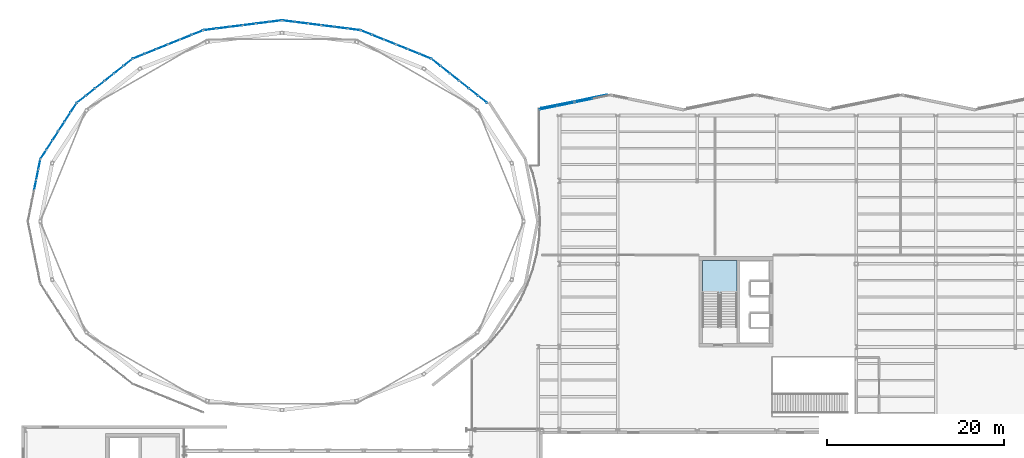
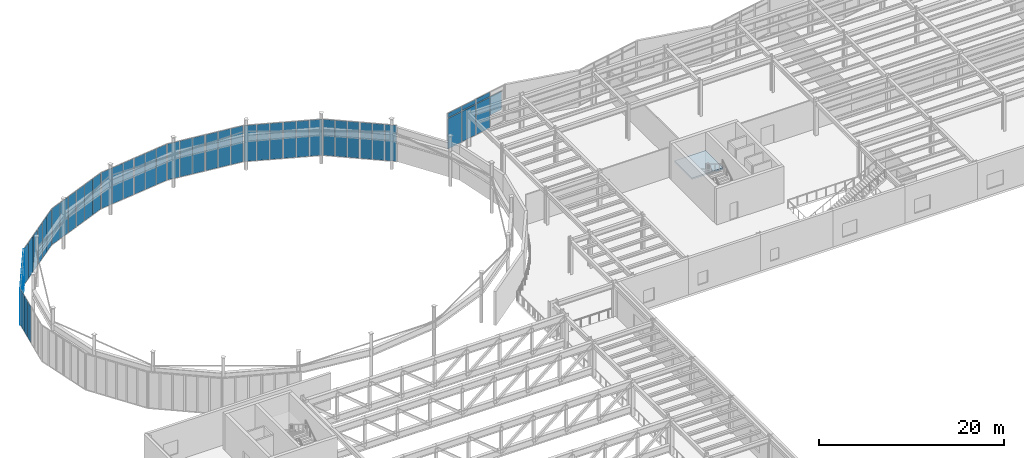
# One storey, part 59 of 91: 52 plates, 1 slab, 18 elements without a shape of their own.
"""IFC4 building model written with IfcOpenShell, lengths in metres."""

from ifc_helpers import new_model, si_unit, direction, frame, origin, origin_2d, place, context, subcontext, project, spatial, polyline, rectangle, outline, extrude, material, layer, layer_set, type_object, element, aggregate, save


model = new_model("IFC4")

# Units and contexts
model_context = context("Model", 3, precision=1e-05, world=origin(), true_north=direction((0.0, 1.0)))
body_context = subcontext(model_context, "Body", "Model", "MODEL_VIEW")
ifc_project = project(units=[si_unit("LENGTHUNIT", "METRE"), si_unit("AREAUNIT", "SQUARE_METRE"), si_unit("VOLUMEUNIT", "CUBIC_METRE"), si_unit("PLANEANGLEUNIT", "RADIAN"), si_unit("MASSUNIT", "GRAM", prefix="KILO")], contexts=[model_context])

# Site, building, storey
site_placement = place(None, origin())
site = spatial("IfcSite", under=ifc_project, at=site_placement, CompositionType="ELEMENT")
building_placement = place(site_placement, origin())
building = spatial("IfcBuilding", under=site, at=building_placement, Name="Sollismere Congress Hotel", CompositionType="ELEMENT")
storey_placement = place(building_placement, frame((0.0, 0.0, 10.800048828125)))
storey = spatial("IfcBuildingStorey", under=building, at=storey_placement, Name="L02", CompositionType="ELEMENT", Elevation=10.800048828125)

# Curtain wall, plates
ifc_material_1 = material(Name="Anodized Bronze Curtain Wall & Low-E Triple Glazing", Category="glass")
ifc_layer_1 = layer(ifc_material_1, 0.199951171875, Name="Anodized Bronze Curtain Wall & Low-E Triple Glazing")
ifc_layer_set_1 = layer_set([ifc_layer_1], Name="Anodized Bronze Curtain Wall & Low-E Triple Glazing")
curtain_wall_type = type_object("IfcCurtainWallType", Name="CW-GLZ36", PredefinedType="USERDEFINED", material=ifc_layer_set_1)
curtain_wall_1_placement = place(storey_placement, origin())
curtain_wall_1 = element("IfcCurtainWall", 1, at=curtain_wall_1_placement, inside=storey, type_object=curtain_wall_type, Name="Unitised curtain wall CW-L02-005", ObjectType="UNITISED CURTAIN WALL", PredefinedType="USERDEFINED")
ifc_material_2 = material(Name="Blue-Tinted Solar-Control Low-E Vision Glass", Category="glass")
ifc_layer_2 = layer(ifc_material_2, 0.035888671875, Name="Blue-Tinted Solar-Control Low-E Vision Glass")
ifc_layer_set_2 = layer_set([ifc_layer_2], Name="Blue-Tinted Solar-Control Low-E Vision Glass")
plate_type_1 = type_object("IfcPlateType", Name="PL-CWGLZ", PredefinedType="CURTAIN_PANEL", material=ifc_layer_set_2)
plate_1_placement = place(storey_placement, frame((51.71435546875, 104.203369140625, 0.052978515625), z_axis=(0.0, 0.0, 1.0), x_axis=(-0.784181063891, 0.620532077362, 0.0)))
plate_1 = element("IfcPlate", 2, at=plate_1_placement, type_object=plate_type_1, Name="CWL-CW-L02-005-VP01", PredefinedType="CURTAIN_PANEL", context=body_context, shape_type="SweptSolid", body=[
    extrude(rectangle(XDim=1.2626953125, YDim=0.035888671875, at=origin_2d()), origin(), (0.0, 0.0, 1.0), 4.75390625),
])
plate_2_placement = place(storey_placement, frame((50.669189453125, 105.0302734375, 0.052978515625), z_axis=(0.0, 0.0, 1.0), x_axis=(-0.784181063891, 0.620532077362, 0.0)))
plate_2 = element("IfcPlate", 3, at=plate_2_placement, type_object=plate_type_1, Name="CWL-CW-L02-005-VP02", PredefinedType="CURTAIN_PANEL", context=body_context, shape_type="SweptSolid", body=[
    extrude(rectangle(XDim=1.30078125, YDim=0.035888671875, at=origin_2d()), origin(), (0.0, 0.0, 1.0), 4.75390625),
])
plate_3_placement = place(storey_placement, frame((49.623779296875, 105.857421875, 0.052978515625), z_axis=(0.0, 0.0, 1.0), x_axis=(-0.784181063891, 0.620532077362, 0.0)))
plate_3 = element("IfcPlate", 4, at=plate_3_placement, type_object=plate_type_1, Name="CWL-CW-L02-005-VP03", PredefinedType="CURTAIN_PANEL", context=body_context, shape_type="SweptSolid", body=[
    extrude(rectangle(XDim=1.2626953125, YDim=0.035888671875, at=origin_2d()), origin(), (0.0, 0.0, 1.0), 4.75390625),
])
aggregate(curtain_wall_1, [plate_1, plate_2, plate_3])

curtain_wall_2_placement = place(storey_placement, origin())
curtain_wall_2 = element("IfcCurtainWall", 5, at=curtain_wall_2_placement, inside=storey, type_object=curtain_wall_type, Name="Unitised curtain wall CW-L02-006", ObjectType="UNITISED CURTAIN WALL", PredefinedType="USERDEFINED")
plate_4_placement = place(storey_placement, frame((48.5341796875, 106.7197265625, 0.052978515625), z_axis=(0.0, 0.0, 1.0), x_axis=(-0.784181063891, 0.620532077362, 0.0)))
plate_4 = element("IfcPlate", 6, at=plate_4_placement, type_object=plate_type_1, Name="CWL-CW-L02-006-VP01", PredefinedType="CURTAIN_PANEL", context=body_context, shape_type="SweptSolid", body=[
    extrude(rectangle(XDim=1.2626953125, YDim=0.035888671875, at=origin_2d()), origin(), (0.0, 0.0, 1.0), 4.75390625),
])
plate_5_placement = place(storey_placement, frame((47.489013671875, 107.546875, 0.052978515625), z_axis=(0.0, 0.0, 1.0), x_axis=(-0.784181063891, 0.620532077362, 0.0)))
plate_5 = element("IfcPlate", 7, at=plate_5_placement, type_object=plate_type_1, Name="CWL-CW-L02-006-VP02", PredefinedType="CURTAIN_PANEL", context=body_context, shape_type="SweptSolid", body=[
    extrude(rectangle(XDim=1.30078125, YDim=0.035888671875, at=origin_2d()), origin(), (0.0, 0.0, 1.0), 4.75390625),
])
plate_6_placement = place(storey_placement, frame((46.443603515625, 108.373779296875, 0.052978515625), z_axis=(0.0, 0.0, 1.0), x_axis=(-0.784181063891, 0.620532077362, 0.0)))
plate_6 = element("IfcPlate", 8, at=plate_6_placement, type_object=plate_type_1, Name="CWL-CW-L02-006-VP03", PredefinedType="CURTAIN_PANEL", context=body_context, shape_type="SweptSolid", body=[
    extrude(rectangle(XDim=1.2626953125, YDim=0.035888671875, at=origin_2d()), origin(), (0.0, 0.0, 1.0), 4.75390625),
])
aggregate(curtain_wall_2, [plate_4, plate_5, plate_6])

curtain_wall_3_placement = place(storey_placement, origin())
curtain_wall_3 = element("IfcCurtainWall", 9, at=curtain_wall_3_placement, inside=storey, type_object=curtain_wall_type, Name="Unitised curtain wall CW-L02-009", ObjectType="UNITISED CURTAIN WALL", PredefinedType="USERDEFINED")
plate_7_placement = place(storey_placement, frame((45.21337890625, 109.08154296875, 0.052978515625), z_axis=(0.0, 0.0, 1.0), x_axis=(-0.927451680013, 0.373943018709, 0.0)))
plate_7 = element("IfcPlate", 10, at=plate_7_placement, type_object=plate_type_1, Name="CWL-CW-L02-009-VP01", PredefinedType="CURTAIN_PANEL", context=body_context, shape_type="SweptSolid", body=[
    extrude(rectangle(XDim=1.351318359375, YDim=0.035888671875, at=origin_2d()), origin(), (0.0, 0.0, 1.0), 4.75390625),
])
plate_8_placement = place(storey_placement, frame((43.895263671875, 109.61279296875, 0.052978515625), z_axis=(0.0, 0.0, 1.0), x_axis=(-0.927451680013, 0.373943018709, 0.0)))
plate_8 = element("IfcPlate", 11, at=plate_8_placement, type_object=plate_type_1, Name="CWL-CW-L02-009-VP02", PredefinedType="CURTAIN_PANEL", context=body_context, shape_type="SweptSolid", body=[
    extrude(rectangle(XDim=1.389404296875, YDim=0.035888671875, at=origin_2d()), origin(), (0.0, 0.0, 1.0), 4.75390625),
])
plate_9_placement = place(storey_placement, frame((42.576904296875, 110.144287109375, 0.052978515625), z_axis=(0.0, 0.0, 1.0), x_axis=(-0.927451680013, 0.373943018709, 0.0)))
plate_9 = element("IfcPlate", 12, at=plate_9_placement, type_object=plate_type_1, Name="CWL-CW-L02-009-VP03", PredefinedType="CURTAIN_PANEL", context=body_context, shape_type="SweptSolid", body=[
    extrude(rectangle(XDim=1.351318359375, YDim=0.035888671875, at=origin_2d()), origin(), (0.0, 0.0, 1.0), 4.75390625),
])
aggregate(curtain_wall_3, [plate_7, plate_8, plate_9])

curtain_wall_4_placement = place(storey_placement, origin())
curtain_wall_4 = element("IfcCurtainWall", 13, at=curtain_wall_4_placement, inside=storey, type_object=curtain_wall_type, Name="Unitised curtain wall CW-L02-010", ObjectType="UNITISED CURTAIN WALL", PredefinedType="USERDEFINED")
plate_10_placement = place(storey_placement, frame((41.2060546875, 110.697265625, 0.052978515625), z_axis=(0.0, 0.0, 1.0), x_axis=(-0.927451680013, 0.373943018709, 0.0)))
plate_10 = element("IfcPlate", 14, at=plate_10_placement, type_object=plate_type_1, Name="CWL-CW-L02-010-VP01", PredefinedType="CURTAIN_PANEL", context=body_context, shape_type="SweptSolid", body=[
    extrude(rectangle(XDim=1.351318359375, YDim=0.035888671875, at=origin_2d()), origin(), (0.0, 0.0, 1.0), 4.75390625),
])
plate_11_placement = place(storey_placement, frame((39.887939453125, 111.228759765625, 0.052978515625), z_axis=(0.0, 0.0, 1.0), x_axis=(-0.927451680013, 0.373943018709, 0.0)))
plate_11 = element("IfcPlate", 15, at=plate_11_placement, type_object=plate_type_1, Name="CWL-CW-L02-010-VP02", PredefinedType="CURTAIN_PANEL", context=body_context, shape_type="SweptSolid", body=[
    extrude(rectangle(XDim=1.389404296875, YDim=0.035888671875, at=origin_2d()), origin(), (0.0, 0.0, 1.0), 4.75390625),
])
plate_12_placement = place(storey_placement, frame((38.569580078125, 111.760009765625, 0.052978515625), z_axis=(0.0, 0.0, 1.0), x_axis=(-0.927451680013, 0.373943018709, 0.0)))
plate_12 = element("IfcPlate", 16, at=plate_12_placement, type_object=plate_type_1, Name="CWL-CW-L02-010-VP03", PredefinedType="CURTAIN_PANEL", context=body_context, shape_type="SweptSolid", body=[
    extrude(rectangle(XDim=1.351318359375, YDim=0.035888671875, at=origin_2d()), origin(), (0.0, 0.0, 1.0), 4.75390625),
])
aggregate(curtain_wall_4, [plate_10, plate_11, plate_12])

curtain_wall_5_placement = place(storey_placement, origin())
curtain_wall_5 = element("IfcCurtainWall", 17, at=curtain_wall_5_placement, inside=storey, type_object=curtain_wall_type, Name="Unitised curtain wall CW-L02-015", ObjectType="UNITISED CURTAIN WALL", PredefinedType="USERDEFINED")
plate_13_placement = place(storey_placement, frame((37.125, 112.131591796875, 0.052978515625), z_axis=(0.0, 0.0, 1.0), x_axis=(-0.992236726166, 0.124363496441, 0.0)))
plate_13 = element("IfcPlate", 18, at=plate_13_placement, type_object=plate_type_1, Name="CWL-CW-L02-015-VP01", PredefinedType="CURTAIN_PANEL", context=body_context, shape_type="SweptSolid", body=[
    extrude(rectangle(XDim=1.4033203125, YDim=0.035888671875, at=origin_2d()), origin(), (0.0, 0.0, 1.0), 4.75390625),
])
plate_14_placement = place(storey_placement, frame((35.6630859375, 112.31494140625, 0.052978515625), z_axis=(0.0, 0.0, 1.0), x_axis=(-0.992236726166, 0.124363496441, 0.0)))
plate_14 = element("IfcPlate", 19, at=plate_14_placement, type_object=plate_type_1, Name="CWL-CW-L02-015-VP02", PredefinedType="CURTAIN_PANEL", context=body_context, shape_type="SweptSolid", body=[
    extrude(rectangle(XDim=1.44140625, YDim=0.035888671875, at=origin_2d()), origin(), (0.0, 0.0, 1.0), 4.75390625),
])
plate_15_placement = place(storey_placement, frame((34.201416015625, 112.498046875, 0.052978515625), z_axis=(0.0, 0.0, 1.0), x_axis=(-0.992236726166, 0.124363496441, 0.0)))
plate_15 = element("IfcPlate", 20, at=plate_15_placement, type_object=plate_type_1, Name="CWL-CW-L02-015-VP03", PredefinedType="CURTAIN_PANEL", context=body_context, shape_type="SweptSolid", body=[
    extrude(rectangle(XDim=1.4033203125, YDim=0.035888671875, at=origin_2d()), origin(), (0.0, 0.0, 1.0), 4.75390625),
])
aggregate(curtain_wall_5, [plate_13, plate_14, plate_15])

curtain_wall_6_placement = place(storey_placement, origin())
curtain_wall_6 = element("IfcCurtainWall", 21, at=curtain_wall_6_placement, inside=storey, type_object=curtain_wall_type, Name="Unitised curtain wall CW-L02-016", ObjectType="UNITISED CURTAIN WALL", PredefinedType="USERDEFINED")
plate_16_placement = place(storey_placement, frame((32.682861328125, 112.6884765625, 0.052978515625), z_axis=(0.0, 0.0, 1.0), x_axis=(-0.992236726166, 0.124363496441, 0.0)))
plate_16 = element("IfcPlate", 22, at=plate_16_placement, type_object=plate_type_1, Name="CWL-CW-L02-016-VP01", PredefinedType="CURTAIN_PANEL", context=body_context, shape_type="SweptSolid", body=[
    extrude(rectangle(XDim=1.4033203125, YDim=0.035888671875, at=origin_2d()), origin(), (0.0, 0.0, 1.0), 4.75390625),
])
plate_17_placement = place(storey_placement, frame((31.220947265625, 112.87158203125, 0.052978515625), z_axis=(0.0, 0.0, 1.0), x_axis=(-0.992236726166, 0.124363496441, 0.0)))
plate_17 = element("IfcPlate", 23, at=plate_17_placement, type_object=plate_type_1, Name="CWL-CW-L02-016-VP02", PredefinedType="CURTAIN_PANEL", context=body_context, shape_type="SweptSolid", body=[
    extrude(rectangle(XDim=1.44140625, YDim=0.035888671875, at=origin_2d()), origin(), (0.0, 0.0, 1.0), 4.75390625),
])
plate_18_placement = place(storey_placement, frame((29.75927734375, 113.0546875, 0.052978515625), z_axis=(0.0, 0.0, 1.0), x_axis=(-0.992236726166, 0.124363496441, 0.0)))
plate_18 = element("IfcPlate", 24, at=plate_18_placement, type_object=plate_type_1, Name="CWL-CW-L02-016-VP03", PredefinedType="CURTAIN_PANEL", context=body_context, shape_type="SweptSolid", body=[
    extrude(rectangle(XDim=1.4033203125, YDim=0.035888671875, at=origin_2d()), origin(), (0.0, 0.0, 1.0), 4.75390625),
])
aggregate(curtain_wall_6, [plate_16, plate_17, plate_18])

curtain_wall_7_placement = place(storey_placement, origin())
curtain_wall_7 = element("IfcCurtainWall", 25, at=curtain_wall_7_placement, inside=storey, type_object=curtain_wall_type, Name="Unitised curtain wall CW-L02-019", ObjectType="UNITISED CURTAIN WALL", PredefinedType="USERDEFINED")
plate_19_placement = place(storey_placement, frame((28.24072265625, 113.0546875, 0.052978515625), z_axis=(0.0, 0.0, 1.0), x_axis=(-0.992236726166, -0.124363496441, 0.0)))
plate_19 = element("IfcPlate", 26, at=plate_19_placement, type_object=plate_type_1, Name="CWL-CW-L02-019-VP01", PredefinedType="CURTAIN_PANEL", context=body_context, shape_type="SweptSolid", body=[
    extrude(rectangle(XDim=1.4033203125, YDim=0.035888671875, at=origin_2d()), origin(), (0.0, 0.0, 1.0), 4.75390625),
])
plate_20_placement = place(storey_placement, frame((26.779052734375, 112.87158203125, 0.052978515625), z_axis=(0.0, 0.0, 1.0), x_axis=(-0.992236726166, -0.124363496441, 0.0)))
plate_20 = element("IfcPlate", 27, at=plate_20_placement, type_object=plate_type_1, Name="CWL-CW-L02-019-VP02", PredefinedType="CURTAIN_PANEL", context=body_context, shape_type="SweptSolid", body=[
    extrude(rectangle(XDim=1.44140625, YDim=0.035888671875, at=origin_2d()), origin(), (0.0, 0.0, 1.0), 4.75390625),
])
plate_21_placement = place(storey_placement, frame((25.317138671875, 112.6884765625, 0.052978515625), z_axis=(0.0, 0.0, 1.0), x_axis=(-0.992236726166, -0.124363496441, 0.0)))
plate_21 = element("IfcPlate", 28, at=plate_21_placement, type_object=plate_type_1, Name="CWL-CW-L02-019-VP03", PredefinedType="CURTAIN_PANEL", context=body_context, shape_type="SweptSolid", body=[
    extrude(rectangle(XDim=1.4033203125, YDim=0.035888671875, at=origin_2d()), origin(), (0.0, 0.0, 1.0), 4.75390625),
])
aggregate(curtain_wall_7, [plate_19, plate_20, plate_21])

curtain_wall_8_placement = place(storey_placement, origin())
curtain_wall_8 = element("IfcCurtainWall", 29, at=curtain_wall_8_placement, inside=storey, type_object=curtain_wall_type, Name="Unitised curtain wall CW-L02-020", ObjectType="UNITISED CURTAIN WALL", PredefinedType="USERDEFINED")
plate_22_placement = place(storey_placement, frame((23.798583984375, 112.498046875, 0.052978515625), z_axis=(0.0, 0.0, 1.0), x_axis=(-0.992236726166, -0.124363496441, 0.0)))
plate_22 = element("IfcPlate", 30, at=plate_22_placement, type_object=plate_type_1, Name="CWL-CW-L02-020-VP01", PredefinedType="CURTAIN_PANEL", context=body_context, shape_type="SweptSolid", body=[
    extrude(rectangle(XDim=1.4033203125, YDim=0.035888671875, at=origin_2d()), origin(), (0.0, 0.0, 1.0), 4.75390625),
])
plate_23_placement = place(storey_placement, frame((22.3369140625, 112.31494140625, 0.052978515625), z_axis=(0.0, 0.0, 1.0), x_axis=(-0.992236726166, -0.124363496441, 0.0)))
plate_23 = element("IfcPlate", 31, at=plate_23_placement, type_object=plate_type_1, Name="CWL-CW-L02-020-VP02", PredefinedType="CURTAIN_PANEL", context=body_context, shape_type="SweptSolid", body=[
    extrude(rectangle(XDim=1.44140625, YDim=0.035888671875, at=origin_2d()), origin(), (0.0, 0.0, 1.0), 4.75390625),
])
plate_24_placement = place(storey_placement, frame((20.875, 112.131591796875, 0.052978515625), z_axis=(0.0, 0.0, 1.0), x_axis=(-0.992236726166, -0.124363496441, 0.0)))
plate_24 = element("IfcPlate", 32, at=plate_24_placement, type_object=plate_type_1, Name="CWL-CW-L02-020-VP03", PredefinedType="CURTAIN_PANEL", context=body_context, shape_type="SweptSolid", body=[
    extrude(rectangle(XDim=1.4033203125, YDim=0.035888671875, at=origin_2d()), origin(), (0.0, 0.0, 1.0), 4.75390625),
])
aggregate(curtain_wall_8, [plate_22, plate_23, plate_24])

curtain_wall_9_placement = place(storey_placement, origin())
curtain_wall_9 = element("IfcCurtainWall", 33, at=curtain_wall_9_placement, inside=storey, type_object=curtain_wall_type, Name="Unitised curtain wall CW-L02-025", ObjectType="UNITISED CURTAIN WALL", PredefinedType="USERDEFINED")
plate_25_placement = place(storey_placement, frame((19.430419921875, 111.760009765625, 0.052978515625), z_axis=(0.0, 0.0, 1.0), x_axis=(-0.927451680013, -0.373943018709, 0.0)))
plate_25 = element("IfcPlate", 34, at=plate_25_placement, type_object=plate_type_1, Name="CWL-CW-L02-025-VP01", PredefinedType="CURTAIN_PANEL", context=body_context, shape_type="SweptSolid", body=[
    extrude(rectangle(XDim=1.351318359375, YDim=0.035888671875, at=origin_2d()), origin(), (0.0, 0.0, 1.0), 4.75390625),
])
plate_26_placement = place(storey_placement, frame((18.112060546875, 111.228759765625, 0.052978515625), z_axis=(0.0, 0.0, 1.0), x_axis=(-0.927451680013, -0.373943018709, 0.0)))
plate_26 = element("IfcPlate", 35, at=plate_26_placement, type_object=plate_type_1, Name="CWL-CW-L02-025-VP02", PredefinedType="CURTAIN_PANEL", context=body_context, shape_type="SweptSolid", body=[
    extrude(rectangle(XDim=1.389404296875, YDim=0.035888671875, at=origin_2d()), origin(), (0.0, 0.0, 1.0), 4.75390625),
])
plate_27_placement = place(storey_placement, frame((16.7939453125, 110.697265625, 0.052978515625), z_axis=(0.0, 0.0, 1.0), x_axis=(-0.927451680013, -0.373943018709, 0.0)))
plate_27 = element("IfcPlate", 36, at=plate_27_placement, type_object=plate_type_1, Name="CWL-CW-L02-025-VP03", PredefinedType="CURTAIN_PANEL", context=body_context, shape_type="SweptSolid", body=[
    extrude(rectangle(XDim=1.351318359375, YDim=0.035888671875, at=origin_2d()), origin(), (0.0, 0.0, 1.0), 4.75390625),
])
aggregate(curtain_wall_9, [plate_25, plate_26, plate_27])

curtain_wall_10_placement = place(storey_placement, origin())
curtain_wall_10 = element("IfcCurtainWall", 37, at=curtain_wall_10_placement, inside=storey, type_object=curtain_wall_type, Name="Unitised curtain wall CW-L02-026", ObjectType="UNITISED CURTAIN WALL", PredefinedType="USERDEFINED")
plate_28_placement = place(storey_placement, frame((15.423095703125, 110.144287109375, 0.052978515625), z_axis=(0.0, 0.0, 1.0), x_axis=(-0.927451680013, -0.373943018709, 0.0)))
plate_28 = element("IfcPlate", 38, at=plate_28_placement, type_object=plate_type_1, Name="CWL-CW-L02-026-VP01", PredefinedType="CURTAIN_PANEL", context=body_context, shape_type="SweptSolid", body=[
    extrude(rectangle(XDim=1.351318359375, YDim=0.035888671875, at=origin_2d()), origin(), (0.0, 0.0, 1.0), 4.75390625),
])
plate_29_placement = place(storey_placement, frame((14.104736328125, 109.61279296875, 0.052978515625), z_axis=(0.0, 0.0, 1.0), x_axis=(-0.927451680013, -0.373943018709, 0.0)))
plate_29 = element("IfcPlate", 39, at=plate_29_placement, type_object=plate_type_1, Name="CWL-CW-L02-026-VP02", PredefinedType="CURTAIN_PANEL", context=body_context, shape_type="SweptSolid", body=[
    extrude(rectangle(XDim=1.389404296875, YDim=0.035888671875, at=origin_2d()), origin(), (0.0, 0.0, 1.0), 4.75390625),
])
plate_30_placement = place(storey_placement, frame((12.78662109375, 109.08154296875, 0.052978515625), z_axis=(0.0, 0.0, 1.0), x_axis=(-0.927451680013, -0.373943018709, 0.0)))
plate_30 = element("IfcPlate", 40, at=plate_30_placement, type_object=plate_type_1, Name="CWL-CW-L02-026-VP03", PredefinedType="CURTAIN_PANEL", context=body_context, shape_type="SweptSolid", body=[
    extrude(rectangle(XDim=1.351318359375, YDim=0.035888671875, at=origin_2d()), origin(), (0.0, 0.0, 1.0), 4.75390625),
])
aggregate(curtain_wall_10, [plate_28, plate_29, plate_30])

curtain_wall_11_placement = place(storey_placement, origin())
curtain_wall_11 = element("IfcCurtainWall", 41, at=curtain_wall_11_placement, inside=storey, type_object=curtain_wall_type, Name="Unitised curtain wall CW-L02-031", ObjectType="UNITISED CURTAIN WALL", PredefinedType="USERDEFINED")
plate_31_placement = place(storey_placement, frame((11.556396484375, 108.373779296875, 0.052978515625), z_axis=(0.0, 0.0, 1.0), x_axis=(-0.784181063891, -0.620532077362, 0.0)))
plate_31 = element("IfcPlate", 42, at=plate_31_placement, type_object=plate_type_1, Name="CWL-CW-L02-031-VP01", PredefinedType="CURTAIN_PANEL", context=body_context, shape_type="SweptSolid", body=[
    extrude(rectangle(XDim=1.2626953125, YDim=0.035888671875, at=origin_2d()), origin(), (0.0, 0.0, 1.0), 4.75390625),
])
plate_32_placement = place(storey_placement, frame((10.510986328125, 107.546875, 0.052978515625), z_axis=(0.0, 0.0, 1.0), x_axis=(-0.784181063891, -0.620532077362, 0.0)))
plate_32 = element("IfcPlate", 43, at=plate_32_placement, type_object=plate_type_1, Name="CWL-CW-L02-031-VP02", PredefinedType="CURTAIN_PANEL", context=body_context, shape_type="SweptSolid", body=[
    extrude(rectangle(XDim=1.30078125, YDim=0.035888671875, at=origin_2d()), origin(), (0.0, 0.0, 1.0), 4.75390625),
])
plate_33_placement = place(storey_placement, frame((9.4658203125, 106.7197265625, 0.052978515625), z_axis=(0.0, 0.0, 1.0), x_axis=(-0.784181063891, -0.620532077362, 0.0)))
plate_33 = element("IfcPlate", 44, at=plate_33_placement, type_object=plate_type_1, Name="CWL-CW-L02-031-VP03", PredefinedType="CURTAIN_PANEL", context=body_context, shape_type="SweptSolid", body=[
    extrude(rectangle(XDim=1.2626953125, YDim=0.035888671875, at=origin_2d()), origin(), (0.0, 0.0, 1.0), 4.75390625),
])
aggregate(curtain_wall_11, [plate_31, plate_32, plate_33])

curtain_wall_12_placement = place(storey_placement, origin())
curtain_wall_12 = element("IfcCurtainWall", 45, at=curtain_wall_12_placement, inside=storey, type_object=curtain_wall_type, Name="Unitised curtain wall CW-L02-032", ObjectType="UNITISED CURTAIN WALL", PredefinedType="USERDEFINED")
plate_34_placement = place(storey_placement, frame((8.376220703125, 105.857421875, 0.052978515625), z_axis=(0.0, 0.0, 1.0), x_axis=(-0.784181063891, -0.620532077362, 0.0)))
plate_34 = element("IfcPlate", 46, at=plate_34_placement, type_object=plate_type_1, Name="CWL-CW-L02-032-VP01", PredefinedType="CURTAIN_PANEL", context=body_context, shape_type="SweptSolid", body=[
    extrude(rectangle(XDim=1.2626953125, YDim=0.035888671875, at=origin_2d()), origin(), (0.0, 0.0, 1.0), 4.75390625),
])
plate_35_placement = place(storey_placement, frame((7.330810546875, 105.0302734375, 0.052978515625), z_axis=(0.0, 0.0, 1.0), x_axis=(-0.784181063891, -0.620532077362, 0.0)))
plate_35 = element("IfcPlate", 47, at=plate_35_placement, type_object=plate_type_1, Name="CWL-CW-L02-032-VP02", PredefinedType="CURTAIN_PANEL", context=body_context, shape_type="SweptSolid", body=[
    extrude(rectangle(XDim=1.30078125, YDim=0.035888671875, at=origin_2d()), origin(), (0.0, 0.0, 1.0), 4.75390625),
])
plate_36_placement = place(storey_placement, frame((6.28564453125, 104.203369140625, 0.052978515625), z_axis=(0.0, 0.0, 1.0), x_axis=(-0.784181063891, -0.620532077362, 0.0)))
plate_36 = element("IfcPlate", 48, at=plate_36_placement, type_object=plate_type_1, Name="CWL-CW-L02-032-VP03", PredefinedType="CURTAIN_PANEL", context=body_context, shape_type="SweptSolid", body=[
    extrude(rectangle(XDim=1.2626953125, YDim=0.035888671875, at=origin_2d()), origin(), (0.0, 0.0, 1.0), 4.75390625),
])
aggregate(curtain_wall_12, [plate_34, plate_35, plate_36])

curtain_wall_13_placement = place(storey_placement, origin())
curtain_wall_13 = element("IfcCurtainWall", 49, at=curtain_wall_13_placement, inside=storey, type_object=curtain_wall_type, Name="Unitised curtain wall CW-L02-035", ObjectType="UNITISED CURTAIN WALL", PredefinedType="USERDEFINED")
plate_37_placement = place(storey_placement, frame((5.39013671875, 103.2275390625, 0.052978515625), z_axis=(0.0, 0.0, 1.0), x_axis=(-0.541385415951, -0.840774542547, 0.0)))
plate_37 = element("IfcPlate", 50, at=plate_37_placement, type_object=plate_type_1, Name="CWL-CW-L02-035-VP01", PredefinedType="CURTAIN_PANEL", context=body_context, shape_type="SweptSolid", body=[
    extrude(rectangle(XDim=1.168212890625, YDim=0.035888671875, at=origin_2d()), origin(), (0.0, 0.0, 1.0), 4.75390625),
])
plate_38_placement = place(storey_placement, frame((4.719970703125, 102.1865234375, 0.052978515625), z_axis=(0.0, 0.0, 1.0), x_axis=(-0.541385415951, -0.840774542547, 0.0)))
plate_38 = element("IfcPlate", 51, at=plate_38_placement, type_object=plate_type_1, Name="CWL-CW-L02-035-VP02", PredefinedType="CURTAIN_PANEL", context=body_context, shape_type="SweptSolid", body=[
    extrude(rectangle(XDim=1.206298828125, YDim=0.035888671875, at=origin_2d()), origin(), (0.0, 0.0, 1.0), 4.75390625),
])
plate_39_placement = place(storey_placement, frame((4.049560546875, 101.1455078125, 0.052978515625), z_axis=(0.0, 0.0, 1.0), x_axis=(-0.541385415951, -0.840774542547, 0.0)))
plate_39 = element("IfcPlate", 52, at=plate_39_placement, type_object=plate_type_1, Name="CWL-CW-L02-035-VP03", PredefinedType="CURTAIN_PANEL", context=body_context, shape_type="SweptSolid", body=[
    extrude(rectangle(XDim=1.168212890625, YDim=0.035888671875, at=origin_2d()), origin(), (0.0, 0.0, 1.0), 4.75390625),
])
aggregate(curtain_wall_13, [plate_37, plate_38, plate_39])

curtain_wall_14_placement = place(storey_placement, origin())
curtain_wall_14 = element("IfcCurtainWall", 53, at=curtain_wall_14_placement, inside=storey, type_object=curtain_wall_type, Name="Unitised curtain wall CW-L02-036", ObjectType="UNITISED CURTAIN WALL", PredefinedType="USERDEFINED")
plate_40_placement = place(storey_placement, frame((3.348388671875, 100.056640625, 0.052978515625), z_axis=(0.0, 0.0, 1.0), x_axis=(-0.541385415951, -0.840774542547, 0.0)))
plate_40 = element("IfcPlate", 54, at=plate_40_placement, type_object=plate_type_1, Name="CWL-CW-L02-036-VP01", PredefinedType="CURTAIN_PANEL", context=body_context, shape_type="SweptSolid", body=[
    extrude(rectangle(XDim=1.168212890625, YDim=0.035888671875, at=origin_2d()), origin(), (0.0, 0.0, 1.0), 4.75390625),
])
plate_41_placement = place(storey_placement, frame((2.677978515625, 99.015625, 0.052978515625), z_axis=(0.0, 0.0, 1.0), x_axis=(-0.541385415951, -0.840774542547, 0.0)))
plate_41 = element("IfcPlate", 55, at=plate_41_placement, type_object=plate_type_1, Name="CWL-CW-L02-036-VP02", PredefinedType="CURTAIN_PANEL", context=body_context, shape_type="SweptSolid", body=[
    extrude(rectangle(XDim=1.206298828125, YDim=0.035888671875, at=origin_2d()), origin(), (0.0, 0.0, 1.0), 4.75390625),
])
plate_42_placement = place(storey_placement, frame((2.0078125, 97.974609375, 0.052978515625), z_axis=(0.0, 0.0, 1.0), x_axis=(-0.541385415951, -0.840774542547, 0.0)))
plate_42 = element("IfcPlate", 56, at=plate_42_placement, type_object=plate_type_1, Name="CWL-CW-L02-036-VP03", PredefinedType="CURTAIN_PANEL", context=body_context, shape_type="SweptSolid", body=[
    extrude(rectangle(XDim=1.168212890625, YDim=0.035888671875, at=origin_2d()), origin(), (0.0, 0.0, 1.0), 4.75390625),
])
aggregate(curtain_wall_14, [plate_40, plate_41, plate_42])

curtain_wall_15_placement = place(storey_placement, origin())
curtain_wall_15 = element("IfcCurtainWall", 57, at=curtain_wall_15_placement, inside=storey, type_object=curtain_wall_type, Name="Unitised curtain wall CW-L02-041", ObjectType="UNITISED CURTAIN WALL", PredefinedType="USERDEFINED")
plate_43_placement = place(storey_placement, frame((1.5361328125, 96.82568359375, 0.052978515625), z_axis=(0.0, 0.0, 1.0), x_axis=(-0.196254203749, -0.98055305186, 0.0)))
plate_43 = element("IfcPlate", 58, at=plate_43_placement, type_object=plate_type_1, Name="CWL-CW-L02-041-VP01", PredefinedType="CURTAIN_PANEL", context=body_context, shape_type="SweptSolid", body=[
    extrude(rectangle(XDim=1.10595703125, YDim=0.035888671875, at=origin_2d()), origin(), (0.0, 0.0, 1.0), 4.75390625),
])
plate_44_placement = place(storey_placement, frame((1.305419921875, 95.672607421875, 0.052978515625), z_axis=(0.0, 0.0, 1.0), x_axis=(-0.196254203749, -0.98055305186, 0.0)))
plate_44 = element("IfcPlate", 59, at=plate_44_placement, type_object=plate_type_1, Name="CWL-CW-L02-041-VP02", PredefinedType="CURTAIN_PANEL", context=body_context, shape_type="SweptSolid", body=[
    extrude(rectangle(XDim=1.143798828125, YDim=0.035888671875, at=origin_2d()), origin(), (0.0, 0.0, 1.0), 4.75390625),
])
plate_45_placement = place(storey_placement, frame((1.074462890625, 94.51953125, 0.052978515625), z_axis=(0.0, 0.0, 1.0), x_axis=(-0.196254203749, -0.98055305186, 0.0)))
plate_45 = element("IfcPlate", 60, at=plate_45_placement, type_object=plate_type_1, Name="CWL-CW-L02-041-VP03", PredefinedType="CURTAIN_PANEL", context=body_context, shape_type="SweptSolid", body=[
    extrude(rectangle(XDim=1.10595703125, YDim=0.035888671875, at=origin_2d()), origin(), (0.0, 0.0, 1.0), 4.75390625),
])
aggregate(curtain_wall_15, [plate_43, plate_44, plate_45])

curtain_wall_16_placement = place(storey_placement, origin())
curtain_wall_16 = element("IfcCurtainWall", 61, at=curtain_wall_16_placement, inside=storey, type_object=curtain_wall_type, Name="Unitised curtain wall CW-L02-097", ObjectType="UNITISED CURTAIN WALL", PredefinedType="USERDEFINED")
plate_46_placement = place(storey_placement, frame((59.13818359375, 103.25146484375, 0.052734375), z_axis=(0.0, 0.0, 1.0), x_axis=(0.979924704621, 0.199367934417, 0.0)))
plate_46 = element("IfcPlate", 62, at=plate_46_placement, type_object=plate_type_1, Name="CWL-CW-L02-097-VP01", PredefinedType="CURTAIN_PANEL", context=body_context, shape_type="SweptSolid", body=[
    extrude(rectangle(XDim=1.955810546875, YDim=0.035888671875, at=origin_2d()), origin(), (0.0, 0.0, 1.0), 4.009033203125),
])
plate_47_placement = place(storey_placement, frame((61.1044921875, 103.651611328125, 0.052734375), z_axis=(0.0, 0.0, 1.0), x_axis=(0.979924704621, 0.199367934417, 0.0)))
plate_47 = element("IfcPlate", 63, at=plate_47_placement, type_object=plate_type_1, Name="CWL-CW-L02-097-VP02", PredefinedType="CURTAIN_PANEL", context=body_context, shape_type="SweptSolid", body=[
    extrude(rectangle(XDim=1.955810546875, YDim=0.035888671875, at=origin_2d()), origin(), (0.0, 0.0, 1.0), 4.009033203125),
])

# Curtain wall, plate
curtain_wall_17_placement = place(storey_placement, origin())
curtain_wall_17 = element("IfcCurtainWall", 64, at=curtain_wall_17_placement, inside=storey, type_object=curtain_wall_type, Name="Unitised curtain wall CW-L02-098", ObjectType="UNITISED CURTAIN WALL", PredefinedType="USERDEFINED")
plate_48_placement = place(storey_placement, frame((63.1455078125, 104.06689453125, 0.052734375), z_axis=(0.0, 0.0, 1.0), x_axis=(0.979924704621, 0.199367934417, 0.0)))
plate_48 = element("IfcPlate", 65, at=plate_48_placement, type_object=plate_type_1, Name="CWL-CW-L02-098-VP01", PredefinedType="CURTAIN_PANEL", context=body_context, shape_type="SweptSolid", body=[
    extrude(rectangle(XDim=1.955810546875, YDim=0.035888671875, at=origin_2d()), origin(), (0.0, 0.0, 1.0), 4.009033203125),
])

# Plate
ifc_material_3 = material(Name="Anodized Bronze Insulated Spandrel Panel")
ifc_layer_3 = layer(ifc_material_3, 0.044921875, Name="Anodized Bronze Insulated Spandrel Panel")
ifc_layer_set_3 = layer_set([ifc_layer_3], Name="Anodized Bronze Insulated Spandrel Panel")
plate_type_2 = type_object("IfcPlateType", Name="PL-CWSPN", PredefinedType="SHEET", material=ifc_layer_set_3)
plate_49_placement = place(storey_placement, frame((59.13818359375, 103.25146484375, 4.177734375), z_axis=(0.0, 0.0, 1.0), x_axis=(0.979924704621, 0.199367934417, 0.0)))
plate_49 = element("IfcPlate", 66, at=plate_49_placement, type_object=plate_type_2, Name="CWL-CW-L02-097-SP01", PredefinedType="SHEET", context=body_context, shape_type="SweptSolid", body=[
    extrude(rectangle(XDim=1.955810546875, YDim=0.044921875, at=origin_2d()), origin(), (0.0, 0.0, 1.0), 0.569091796875),
])

plate_50_placement = place(storey_placement, frame((61.1044921875, 103.651611328125, 4.177734375), z_axis=(0.0, 0.0, 1.0), x_axis=(0.979924704621, 0.199367934417, 0.0)))
plate_50 = element("IfcPlate", 67, at=plate_50_placement, type_object=plate_type_2, Name="CWL-CW-L02-097-SP02", PredefinedType="SHEET", context=body_context, shape_type="SweptSolid", body=[
    extrude(rectangle(XDim=1.955810546875, YDim=0.044921875, at=origin_2d()), origin(), (0.0, 0.0, 1.0), 0.569091796875),
])

aggregate(curtain_wall_16, [plate_46, plate_49, plate_47, plate_50])

plate_51_placement = place(storey_placement, frame((63.1455078125, 104.06689453125, 4.177734375), z_axis=(0.0, 0.0, 1.0), x_axis=(0.979924704621, 0.199367934417, 0.0)))
plate_51 = element("IfcPlate", 68, at=plate_51_placement, type_object=plate_type_2, Name="CWL-CW-L02-098-SP01", PredefinedType="SHEET", context=body_context, shape_type="SweptSolid", body=[
    extrude(rectangle(XDim=1.955810546875, YDim=0.044921875, at=origin_2d()), origin(), (0.0, 0.0, 1.0), 0.569091796875),
])

aggregate(curtain_wall_17, [plate_48, plate_51])

ifc_material_4 = material(Name="Perforated Architectural Bronze Sebeke Screen")
ifc_layer_4 = layer(ifc_material_4, 0.0380859375, Name="Perforated Architectural Bronze Sebeke Screen")
ifc_layer_set_4 = layer_set([ifc_layer_4], Name="Perforated Architectural Bronze Sebeke Screen")
plate_type_3 = type_object("IfcPlateType", Name="PL-SBK32", PredefinedType="USERDEFINED", material=ifc_layer_set_4)
plate_52_placement = place(storey_placement, frame((62.10107421875, 103.976806640625, 1.5751953125), z_axis=(0.0, 0.0, 1.0), x_axis=(0.979924704621, 0.199367934417, 0.0)))
element("IfcPlate", 69, at=plate_52_placement, inside=storey, type_object=plate_type_3, Name="PLT-SBK-010", ObjectType="PERFORATED SCREEN", PredefinedType="USERDEFINED", context=body_context, shape_type="SweptSolid", body=[
    extrude(rectangle(XDim=7.618896484375, YDim=0.0380859375, at=origin_2d()), origin(), (0.0, 0.0, 1.0), 2.429931640625),
])

# Stair, slab
ifc_material_5 = material(Name="Concrete C40/50", Category="concrete")
stair_type = type_object("IfcStairType", Name="STR-DL-480", PredefinedType="HALF_TURN_STAIR", material=ifc_material_5)
stair_placement = place(storey_placement, origin())
stair = element("IfcStair", 70, at=stair_placement, inside=storey, type_object=stair_type, Name="Protected exit stair ST-04-L02", PredefinedType="HALF_TURN_STAIR")
ifc_layer_5 = layer(ifc_material_5, 0.199951171875, Name="Concrete C40/50")
ifc_layer_set_5 = layer_set([ifc_layer_5], Name="Concrete C40/50")
slab_type = type_object("IfcSlabType", Name="SL-LND200", PredefinedType="LANDING", material=ifc_layer_set_5)
slab_placement = place(storey_placement, frame((0.0, 0.0, 2.199951171875)))
slab = element("IfcSlab", 71, at=slab_placement, type_object=slab_type, Name="Exit stair half-landing ST-04-L02-L1", PredefinedType="LANDING", context=body_context, shape_type="SweptSolid", body=[
    extrude(outline(polyline([(80.5, 82.219970703125), (80.5, 86.0), (76.60009765625, 86.0), (76.60009765625, 82.219970703125), (80.5, 82.219970703125)])), origin(), (0.0, 0.0, 1.0), 0.199951171875),
])
aggregate(stair, [slab])

save(model, "model.ifc")
